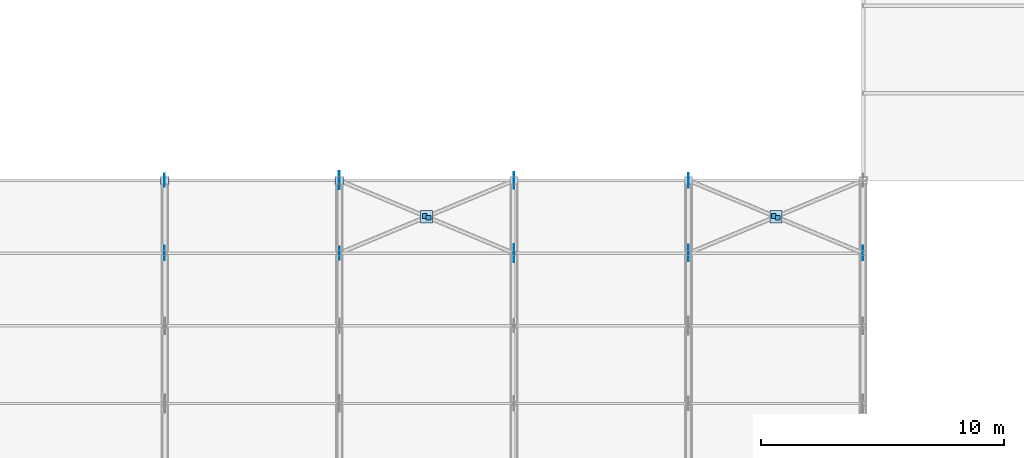
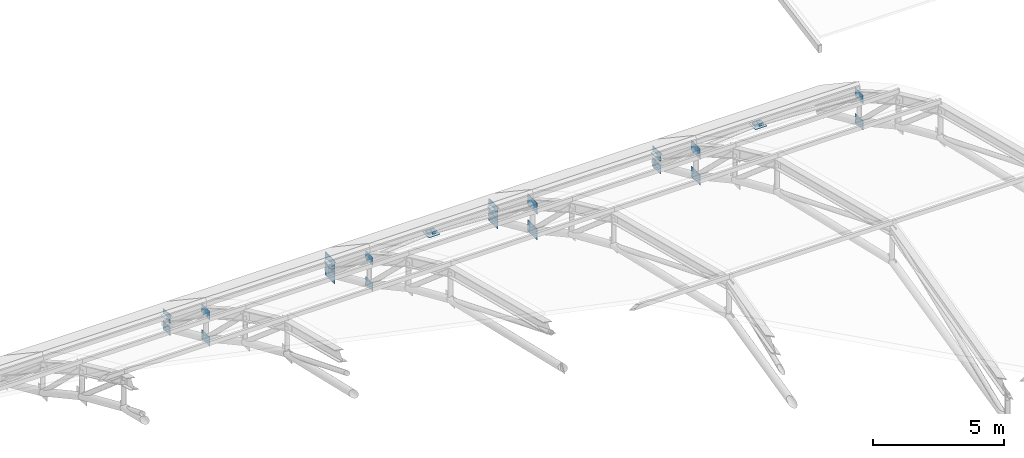
# One storey, part 51 of 63: 28 plates.
"""IFC4 building model written with IfcOpenShell, lengths in metres."""

from ifc_helpers import new_model, si_unit, direction, frame, origin, origin_2d, place, context, subcontext, project, spatial, rectangle, extrude, material, layer, layer_set, type_object, element, save


model = new_model("IFC4")

# Units and contexts
model_context = context("Model", 3, precision=1e-05, world=origin(), true_north=direction((0.0, 1.0)))
body_context = subcontext(model_context, "Body", "Model", "MODEL_VIEW")
ifc_project = project(units=[si_unit("LENGTHUNIT", "METRE"), si_unit("AREAUNIT", "SQUARE_METRE"), si_unit("VOLUMEUNIT", "CUBIC_METRE"), si_unit("PLANEANGLEUNIT", "RADIAN"), si_unit("MASSUNIT", "GRAM", prefix="KILO")], contexts=[model_context])

# Site, building, storey
site_placement = place(None, origin())
site = spatial("IfcSite", under=ifc_project, at=site_placement, CompositionType="ELEMENT")
building_placement = place(site_placement, origin())
building = spatial("IfcBuilding", under=site, at=building_placement, Name="Solvadek Multi-Sports Hall", CompositionType="ELEMENT")
storey_placement = place(building_placement, frame((0.0, 0.0, 19.199951171875)))
storey = spatial("IfcBuildingStorey", under=building, at=storey_placement, Name="RF", CompositionType="ELEMENT", Elevation=19.199951171875)

# Plates
ifc_material = material(Name="Steel E350 (350 MPa)", Category="steel")
ifc_layer_1 = layer(ifc_material, 0.01611328125, Name="Steel E350 (350 MPa)")
ifc_layer_set_1 = layer_set([ifc_layer_1], Name="Steel E350 (350 MPa)")
plate_type_1 = type_object("IfcPlateType", Name="STR-PLT-CAP16", PredefinedType="USERDEFINED", material=ifc_layer_set_1)
for number, where, z_axis, x_axis, name in (
    (1, (118.72119140625, 40.53271484375, -2.6748046875), (0.0, 0.0, 1.0), (1.0, 0.0, 0.0), "V1 Half-Brace End Cap #16"),
    (2, (118.878662109375, 40.46728515625, -2.630859375), (0.0, 0.0, 1.0), (1.0, 0.0, 0.0), "V1 Half-Brace End Cap #17"),
    (3, (133.121337890625, 40.53271484375, -2.6748046875), (0.0, 0.0, 1.0), (1.0, 0.0, 0.0), "V1 Half-Brace End Cap #29"),
    (4, (133.27880859375, 40.46728515625, -2.630859375), (0.0, 0.0, 1.0), (1.0, 0.0, 0.0), "V1 Half-Brace End Cap #30"),
):
    element("IfcPlate", number, at=place(storey_placement, frame(where, z_axis=z_axis, x_axis=x_axis)), inside=storey, type_object=plate_type_1, Name=name, ObjectType="BASE_PLATE", PredefinedType="USERDEFINED", context=body_context, shape_type="SweptSolid", body=[
        extrude(rectangle(XDim=0.18994140625, YDim=0.18994140625, at=origin_2d()), origin(), (0.0, 0.0, 1.0), 0.2099609375),
    ])
ifc_layer_2 = layer(ifc_material, 0.02001953125, Name="Steel E350 (350 MPa)")
ifc_layer_set_2 = layer_set([ifc_layer_2], Name="Steel E350 (350 MPa)")
plate_type_2 = type_object("IfcPlateType", Name="STR-PLT-CAP340", PredefinedType="USERDEFINED", material=ifc_layer_set_2)
for number, where, z_axis, x_axis, name in (
    (5, (108.0, 42.0, -3.550048828125), (0.0, 0.0, 1.0), (1.0, 0.0, 0.0), "v1 Bearing Post Cap #4.8"),
    (6, (115.199951171875, 42.0, -3.550048828125), (0.0, 0.0, 1.0), (1.0, 0.0, 0.0), "v1 Bearing Post Cap #5.8"),
    (7, (122.39990234375, 42.0, -3.550048828125), (0.0, 0.0, 1.0), (1.0, 0.0, 0.0), "v1 Bearing Post Cap #6.8"),
    (8, (129.60009765625, 42.0, -3.550048828125), (0.0, 0.0, 1.0), (1.0, 0.0, 0.0), "v1 Bearing Post Cap #7.8"),
):
    element("IfcPlate", number, at=place(storey_placement, frame(where, z_axis=z_axis, x_axis=x_axis)), inside=storey, type_object=plate_type_2, Name=name, ObjectType="BASE_PLATE", PredefinedType="USERDEFINED", context=body_context, shape_type="SweptSolid", body=[
        extrude(rectangle(XDim=0.340087890625, YDim=0.340087890625, at=origin_2d()), origin(), (0.0, 0.0, 1.0), 0.02001953125),
    ])
ifc_layer_3 = layer(ifc_material, 0.02001953125, Name="Steel E350 (350 MPa)")
ifc_layer_set_3 = layer_set([ifc_layer_3], Name="Steel E350 (350 MPa)")
plate_type_3 = type_object("IfcPlateType", Name="STR-PLT-GP20", PredefinedType="USERDEFINED", material=ifc_layer_set_3)
for number, where, z_axis, x_axis, name in (
    (9, (118.800048828125, 40.5, -2.557861328125), (0.0, 0.0, 1.0), (1.0, 0.0, 0.0), "V1 Roof X-Brace Crossing Gusset #148"),
    (10, (133.199951171875, 40.5, -2.557861328125), (0.0, 0.0, 1.0), (1.0, 0.0, 0.0), "V1 Roof X-Brace Crossing Gusset #150"),
):
    element("IfcPlate", number, at=place(storey_placement, frame(where, z_axis=z_axis, x_axis=x_axis)), inside=storey, type_object=plate_type_3, Name=name, ObjectType="GUSSET_PLATE", PredefinedType="USERDEFINED", context=body_context, shape_type="SweptSolid", body=[
        extrude(rectangle(XDim=0.5, YDim=0.5, at=origin_2d()), origin(), (0.0, 0.0, 1.0), 0.02001953125),
    ])
ifc_layer_4 = layer(ifc_material, 0.02197265625, Name="Steel E350 (350 MPa)")
ifc_layer_set_4 = layer_set([ifc_layer_4], Name="Steel E350 (350 MPa)")
plate_type_4 = type_object("IfcPlateType", Name="STR-PLT-GUS540", PredefinedType="USERDEFINED", material=ifc_layer_set_4)
for number, where, z_axis, x_axis, name in (
    (11, (108.0, 42.0, -3.739990234375), (0.0, 0.0, 1.0), (0.0, 1.0, 0.0), "V1 Truss Top Gusset Plate #71"),
    (12, (108.0, 42.0, -4.289794921875), (0.0, 0.0, 1.0), (0.0, 1.0, 0.0), "V1 Truss Bottom Gusset Plate #72"),
    (13, (115.199951171875, 39.0, -1.735595703125), (0.0, 0.0, 1.0), (0.0, 1.0, 0.0), "V1 Truss Top Gusset Plate #87"),
    (14, (115.199951171875, 39.0, -2.944091796875), (0.0, 0.0, 1.0), (0.0, 1.0, 0.0), "V1 Truss Bottom Gusset Plate #88"),
):
    element("IfcPlate", number, at=place(storey_placement, frame(where, z_axis=z_axis, x_axis=x_axis)), inside=storey, type_object=plate_type_4, Name=name, ObjectType="GUSSET_PLATE", PredefinedType="USERDEFINED", context=body_context, shape_type="SweptSolid", body=[
        extrude(rectangle(XDim=0.5400390625, YDim=0.02197265625, at=origin_2d()), origin(), (0.0, 0.0, 1.0), 0.3798828125),
    ])
ifc_layer_5 = layer(ifc_material, 0.02392578125, Name="Steel E350 (350 MPa)")
ifc_layer_set_5 = layer_set([ifc_layer_5], Name="Steel E350 (350 MPa)")
plate_type_5 = type_object("IfcPlateType", Name="STR-PLT-GUS600", PredefinedType="USERDEFINED", material=ifc_layer_set_5)
for number, where, z_axis, x_axis, name in (
    (15, (108.0, 39.0, -1.755615234375), (0.0, 0.0, 1.0), (0.0, 1.0, 0.0), "V1 Truss Top Gusset Plate #69"),
    (16, (108.0, 39.0, -2.964111328125), (0.0, 0.0, 1.0), (0.0, 1.0, 0.0), "V1 Truss Bottom Gusset Plate #70"),
    (17, (129.60009765625, 42.0, -3.760009765625), (0.0, 0.0, 1.0), (0.0, 1.0, 0.0), "V1 Truss Top Gusset Plate #125"),
    (18, (129.60009765625, 42.0, -4.309814453125), (0.0, 0.0, 1.0), (0.0, 1.0, 0.0), "V1 Truss Bottom Gusset Plate #126"),
    (19, (136.800048828125, 39.0, -1.755615234375), (0.0, 0.0, 1.0), (0.0, 1.0, 0.0), "V1 Truss Top Gusset Plate #141"),
    (20, (136.800048828125, 39.0, -2.964111328125), (0.0, 0.0, 1.0), (0.0, 1.0, 0.0), "V1 Truss Bottom Gusset Plate #142"),
):
    element("IfcPlate", number, at=place(storey_placement, frame(where, z_axis=z_axis, x_axis=x_axis)), inside=storey, type_object=plate_type_5, Name=name, ObjectType="GUSSET_PLATE", PredefinedType="USERDEFINED", context=body_context, shape_type="SweptSolid", body=[
        extrude(rectangle(XDim=0.60009765625, YDim=0.02392578125, at=origin_2d()), origin(), (0.0, 0.0, 1.0), 0.419921875),
    ])
ifc_layer_6 = layer(ifc_material, 0.02587890625, Name="Steel E350 (350 MPa)")
ifc_layer_set_6 = layer_set([ifc_layer_6], Name="Steel E350 (350 MPa)")
plate_type_6 = type_object("IfcPlateType", Name="STR-PLT-GUS680", PredefinedType="USERDEFINED", material=ifc_layer_set_6)
for number, where, z_axis, x_axis, name in (
    (21, (122.39990234375, 42.0, -3.7900390625), (0.0, 0.0, 1.0), (0.0, 1.0, 0.0), "V1 Truss Top Gusset Plate #107"),
    (22, (122.39990234375, 42.0, -4.33984375), (0.0, 0.0, 1.0), (0.0, 1.0, 0.0), "V1 Truss Bottom Gusset Plate #108"),
    (23, (129.60009765625, 39.0, -1.78564453125), (0.0, 0.0, 1.0), (0.0, 1.0, 0.0), "V1 Truss Top Gusset Plate #123"),
    (24, (129.60009765625, 39.0, -2.994140625), (0.0, 0.0, 1.0), (0.0, 1.0, 0.0), "V1 Truss Bottom Gusset Plate #124"),
):
    element("IfcPlate", number, at=place(storey_placement, frame(where, z_axis=z_axis, x_axis=x_axis)), inside=storey, type_object=plate_type_6, Name=name, ObjectType="GUSSET_PLATE", PredefinedType="USERDEFINED", context=body_context, shape_type="SweptSolid", body=[
        extrude(rectangle(XDim=0.679931640625, YDim=0.02587890625, at=origin_2d()), origin(), (0.0, 0.0, 1.0), 0.47998046875),
    ])
ifc_layer_7 = layer(ifc_material, 0.028076171875, Name="Steel E350 (350 MPa)")
ifc_layer_set_7 = layer_set([ifc_layer_7], Name="Steel E350 (350 MPa)")
plate_type_7 = type_object("IfcPlateType", Name="STR-PLT-GUS740", PredefinedType="USERDEFINED", material=ifc_layer_set_7)
for number, where, z_axis, x_axis, name in (
    (25, (115.199951171875, 42.0, -3.81005859375), (0.0, 0.0, 1.0), (0.0, 1.0, 0.0), "V1 Truss Top Gusset Plate #89"),
    (26, (115.199951171875, 42.0, -4.35986328125), (0.0, 0.0, 1.0), (0.0, 1.0, 0.0), "V1 Truss Bottom Gusset Plate #90"),
    (27, (122.39990234375, 39.0, -1.8056640625), (0.0, 0.0, 1.0), (0.0, 1.0, 0.0), "V1 Truss Top Gusset Plate #105"),
    (28, (122.39990234375, 39.0, -3.01416015625), (0.0, 0.0, 1.0), (0.0, 1.0, 0.0), "V1 Truss Bottom Gusset Plate #106"),
):
    element("IfcPlate", number, at=place(storey_placement, frame(where, z_axis=z_axis, x_axis=x_axis)), inside=storey, type_object=plate_type_7, Name=name, ObjectType="GUSSET_PLATE", PredefinedType="USERDEFINED", context=body_context, shape_type="SweptSolid", body=[
        extrude(rectangle(XDim=0.739990234375, YDim=0.028076171875, at=origin_2d()), origin(), (0.0, 0.0, 1.0), 0.52001953125),
    ])

save(model, "model.ifc")
